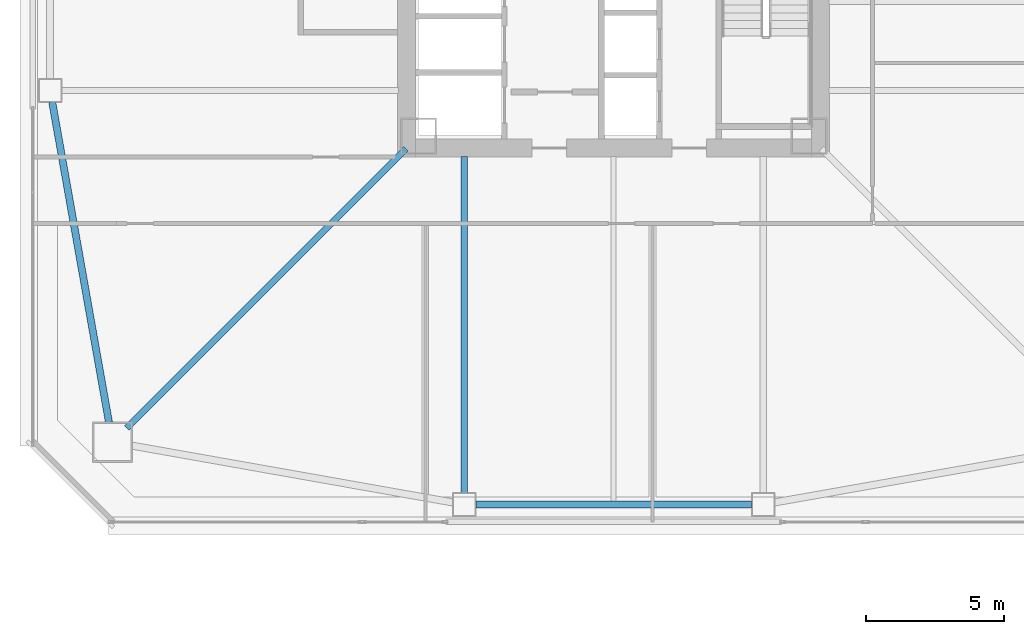
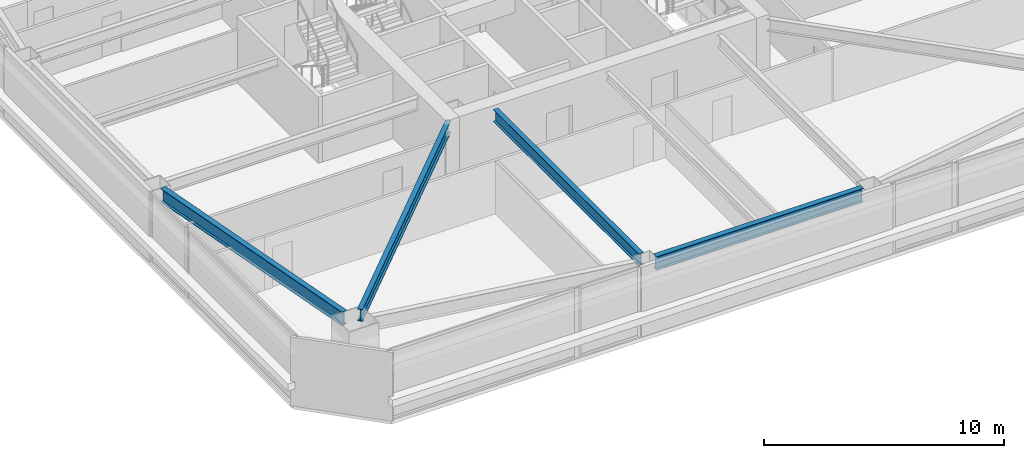
# One storey, part 4 of 44: 4 beams.
"""IFC4 building model written with IfcOpenShell, lengths in metres."""

import ifcopenshell
import ifcopenshell.guid

model = None  # the IFC model being written
_history = None  # IfcOwnerHistory: only IFC2X3 demands one
_inside = {}  # id of a spatial element -> (the spatial element, [elements in it])
_under = {}  # id of a project, library or spatial element -> (it, [spatial elements below it])
_declared = {}  # id of a project -> (the project, [libraries it declares])
_typed = {}  # id of a type object -> (the type object, [elements of that type])
_made_of = {}  # id of a material, layer set ... -> (it, [elements and type objects made of it])


def new_model(schema):
    """Start an empty IFC model of exactly this schema.

    Asked for "IFC4X3", IfcOpenShell would pick the latest addendum, in which some entities
    have other attributes; the version numbers below select the first issue.
    IFC2X3 requires an IfcOwnerHistory on every rooted entity: one is made here for all.
    """
    global model, _history
    if schema == "IFC4X3":
        model = ifcopenshell.file(schema_version=(4, 3, 0, 0))
    else:
        model = ifcopenshell.file(schema=schema)
    _inside.clear()
    _under.clear()
    _declared.clear()
    _typed.clear()
    _made_of.clear()
    _history = None
    if model.schema == "IFC2X3":
        org = make("IfcOrganization", Name="unknown")
        user = make(
            "IfcPersonAndOrganization",
            ThePerson=make("IfcPerson", FamilyName="unknown"),
            TheOrganization=org,
        )
        app = make(
            "IfcApplication",
            ApplicationDeveloper=org,
            Version="unknown",
            ApplicationFullName="unknown",
            ApplicationIdentifier="unknown",
        )
        _history = make(
            "IfcOwnerHistory",
            OwningUser=user,
            OwningApplication=app,
            ChangeAction="ADDED",
            CreationDate=0,
        )
    return model


def make(cls, **values):
    """One entity of the class cls with the attributes given. An attribute that is None is left unset."""
    return model.create_entity(
        cls, **{name: value for name, value in values.items() if value is not None}
    )


def rooted(cls, **values):
    """An entity with a GlobalId (a new one), such as an element, a storey or a relation."""
    return make(cls, GlobalId=ifcopenshell.guid.new(), OwnerHistory=_history, **values)


def si_unit(unit_type, name, prefix=None):
    """IfcSIUnit, for example si_unit("LENGTHUNIT", "METRE", prefix="MILLI")."""
    return make("IfcSIUnit", UnitType=unit_type, Prefix=prefix, Name=name)


def assignment(units):
    """IfcUnitAssignment: the units of a project."""
    return None if units is None else make("IfcUnitAssignment", Units=units)


def point(xyz):
    """IfcCartesianPoint."""
    return None if xyz is None else make("IfcCartesianPoint", Coordinates=xyz)


def direction(xyz):
    """IfcDirection."""
    return None if xyz is None else make("IfcDirection", DirectionRatios=xyz)


def frame(location, z_axis=None, x_axis=None):
    """IfcAxis2Placement3D, a coordinate frame: its origin and axes. An axis left out is left unset."""
    return make(
        "IfcAxis2Placement3D",
        Location=point(location),
        Axis=direction(z_axis),
        RefDirection=direction(x_axis),
    )


def frame_2d(location, x_axis=None):
    """IfcAxis2Placement2D, a coordinate frame in the plane: its origin and x axis."""
    return make(
        "IfcAxis2Placement2D", Location=point(location), RefDirection=direction(x_axis)
    )


def origin():
    """The frame at (0, 0, 0) with its axes left unset."""
    return frame((0.0, 0.0, 0.0))


def origin_2d():
    """The frame at (0, 0) in the plane with its x axis left unset."""
    return frame_2d((0.0, 0.0))


def place(relative_to, where):
    """IfcLocalPlacement: puts the frame where relative to a parent placement (None: the world)."""
    return make(
        "IfcLocalPlacement", PlacementRelTo=relative_to, RelativePlacement=where
    )


def context(
    kind, dimensions, precision=None, world=None, true_north=None, identifier=None
):
    """IfcGeometricRepresentationContext, for example the 3D "Model" context."""
    return make(
        "IfcGeometricRepresentationContext",
        ContextIdentifier=identifier,
        ContextType=kind,
        CoordinateSpaceDimension=dimensions,
        Precision=precision,
        WorldCoordinateSystem=world,
        TrueNorth=true_north,
    )


def subcontext(parent, identifier, kind, view, scale=None):
    """IfcGeometricRepresentationSubContext, for example "Body" below "Model"."""
    return make(
        "IfcGeometricRepresentationSubContext",
        ContextIdentifier=identifier,
        ContextType=kind,
        ParentContext=parent,
        TargetScale=scale,
        TargetView=view,
    )


def project(units=None, contexts=None):
    """IfcProject with its units and contexts."""
    return rooted(
        "IfcProject",
        Name="project",
        RepresentationContexts=contexts,
        UnitsInContext=assignment(units),
    )


def spatial(cls, under=None, at=None, **own):
    """A site, building, storey or space (cls), placed at a placement, below another one or the project."""
    s = rooted(cls, ObjectPlacement=at, **own)
    if under is not None:
        _under.setdefault(under.id(), (under, []))[1].append(s)
    return s


def profile(cls, at=None, kind="AREA", **sizes):
    """A parametric profile (cls). Its sizes go by their IFC names, for example OverallWidth=200.0."""
    return make(cls, ProfileType=kind, Position=at, **sizes)


def i_section(**sizes):
    """IfcIShapeProfileDef."""
    return profile("IfcIShapeProfileDef", **sizes)


def extrude(swept, where, along, depth):
    """IfcExtrudedAreaSolid: the profile swept, set in the frame where, extruded along a direction by depth."""
    return make(
        "IfcExtrudedAreaSolid",
        SweptArea=swept,
        Position=where,
        ExtrudedDirection=direction(along),
        Depth=depth,
    )


def shape(context_of_items, identifier, shape_type, items):
    """IfcShapeRepresentation: the items that make up one representation, for example the "Body"."""
    return make(
        "IfcShapeRepresentation",
        ContextOfItems=context_of_items,
        RepresentationIdentifier=identifier,
        RepresentationType=shape_type,
        Items=items,
    )


def material(Name=None, Category=None):
    """IfcMaterial."""
    return make("IfcMaterial", Name=Name, Category=Category)


def material_profile(
    of_material, cross_section, Name=None, Category=None, Priority=None
):
    """IfcMaterialProfile: a cross section and its material."""
    return make(
        "IfcMaterialProfile",
        Name=Name,
        Material=of_material,
        Profile=cross_section,
        Priority=Priority,
        Category=Category,
    )


def profile_set(profiles, Name=None, composite=None):
    """IfcMaterialProfileSet."""
    return make(
        "IfcMaterialProfileSet",
        Name=Name,
        MaterialProfiles=profiles,
        CompositeProfile=composite,
    )


def made_of(thing, what):
    """Note that an element or type object is made of a material, layer set ...; save() writes the relation."""
    if what is not None:
        _made_of.setdefault(what.id(), (what, []))[1].append(thing)
    return thing


def type_object(cls, material=None, **own):
    """A type object (cls), such as IfcWallType, which elements share."""
    return made_of(rooted(cls, **own), material)


def element(
    cls,
    number,
    at=None,
    inside=None,
    cuts=None,
    type_object=None,
    material=None,
    context=None,
    identifier="Body",
    shape_type=None,
    held_by="IfcProductDefinitionShape",
    body=None,
    shapes=None,
    **own,
):
    """One element of the class cls, such as IfcWall. Its Tag is "e" and its number.

    at: its placement. inside: the storey or other place that contains it. cuts: it is an
    opening in that element (IfcRelVoidsElement). A single representation is given by context,
    identifier, shape_type and body (its items); several are given by shapes. held_by: the class
    of the entity that holds the representations. save() writes the other relations.
    """
    e = rooted(cls, Tag="e%d" % number, ObjectPlacement=at, **own)
    if body is not None:
        shapes = [shape(context, identifier, shape_type, body)]
    if shapes is not None:
        e.Representation = make(held_by, Representations=shapes)
    if inside is not None:
        _inside.setdefault(inside.id(), (inside, []))[1].append(e)
    if cuts is not None:
        rooted(
            "IfcRelVoidsElement", RelatingBuildingElement=cuts, RelatedOpeningElement=e
        )
    if type_object is not None:
        _typed.setdefault(type_object.id(), (type_object, []))[1].append(e)
    return made_of(e, material)


def aggregate(whole, parts):
    """IfcRelAggregates: a whole, such as a stair, and the parts it consists of."""
    return rooted("IfcRelAggregates", RelatingObject=whole, RelatedObjects=parts)


def save(model, path):
    """Write the relations noted so far, then the file.

    IfcRelAggregates (storeys below a building ...), IfcRelContainedInSpatialStructure (elements
    in a storey), IfcRelDefinesByType, IfcRelAssociatesMaterial and IfcRelDeclares: one each for
    every whole, place, type object, material and project.
    """
    for whole, parts in _under.values():
        aggregate(whole, parts)
    for where, things in _inside.values():
        rooted(
            "IfcRelContainedInSpatialStructure",
            RelatedElements=things,
            RelatingStructure=where,
        )
    for kind, things in _typed.values():
        rooted("IfcRelDefinesByType", RelatedObjects=things, RelatingType=kind)
    for what, things in _made_of.values():
        rooted("IfcRelAssociatesMaterial", RelatedObjects=things, RelatingMaterial=what)
    for by, libraries in _declared.values():
        rooted("IfcRelDeclares", RelatingContext=by, RelatedDefinitions=libraries)
    model.write(path)


model = new_model("IFC4")

# Units and contexts
model_context = context("Model", 3, precision=1e-05, world=origin(), true_north=direction((0.0, 1.0)))
body_context = subcontext(model_context, "Body", "Model", "MODEL_VIEW")
ifc_project = project(units=[si_unit("LENGTHUNIT", "METRE"), si_unit("AREAUNIT", "SQUARE_METRE"), si_unit("VOLUMEUNIT", "CUBIC_METRE"), si_unit("PLANEANGLEUNIT", "RADIAN"), si_unit("MASSUNIT", "GRAM", prefix="KILO")], contexts=[model_context])

# Site, building, storey
site_placement = place(None, origin())
site = spatial("IfcSite", under=ifc_project, at=site_placement, CompositionType="ELEMENT")
building_placement = place(site_placement, origin())
building = spatial("IfcBuilding", under=site, at=building_placement, Name="Tashvorn Skyway Center", CompositionType="ELEMENT")
storey_placement = place(building_placement, frame((0.0, 0.0, 102.699951171875)))
storey = spatial("IfcBuildingStorey", under=building, at=storey_placement, Name="L27", CompositionType="ELEMENT", Elevation=102.699951171875)

# Beams
ifc_material = material(Name="Steel ASTM A992 Grade 50", Category="steel")
ifc_material_profile_1 = material_profile(ifc_material, i_section(OverallWidth=0.22998046875, OverallDepth=0.616943359375, WebThickness=0.01318359375, FlangeThickness=0.022216796875, at=origin_2d()), Name="W24X94")
ifc_profile_set_1 = profile_set([ifc_material_profile_1], Name="Steel ASTM A992 Grade 50")
beam_type_1 = type_object("IfcBeamType", Name="BM-BEAM-W24X94", PredefinedType="BEAM", material=ifc_profile_set_1)
beam_1_placement = place(storey_placement, frame((24.4091796875, 14.4091796875, 3.04150390625), z_axis=(0.707106781187, 0.707106781187, 0.0), x_axis=(-0.707106781187, 0.707106781187, 0.0)))
element("IfcBeam", 1, at=beam_1_placement, inside=storey, type_object=beam_type_1, Name="Tower 1 L27 Primary Floor Girder MC-SW", PredefinedType="BEAM", context=body_context, shape_type="SweptSolid", body=[
    extrude(i_section(OverallWidth=0.22998046875, OverallDepth=0.616943359375, WebThickness=0.01318359375, FlangeThickness=0.022216796875, at=origin_2d()), origin(), (0.0, 0.0, 1.0), 14.261962890625),
])
beam_2_placement = place(storey_placement, frame((36.60009765625, 12.070068359375, 3.04150390625), z_axis=(0.0, 1.0, 0.0), x_axis=(-1.0, 0.0, 0.0)))
element("IfcBeam", 2, at=beam_2_placement, inside=storey, type_object=beam_type_1, Name="Tower 1 L27 Primary Floor Girder FC-S1", PredefinedType="BEAM", context=body_context, shape_type="SweptSolid", body=[
    extrude(i_section(OverallWidth=0.22998046875, OverallDepth=0.616943359375, WebThickness=0.01318359375, FlangeThickness=0.022216796875, at=origin_2d()), origin(), (0.0, 0.0, 1.0), 12.14990234375),
])
ifc_material_profile_2 = material_profile(ifc_material, i_section(OverallWidth=0.256103515625, OverallDepth=0.693115234375, WebThickness=0.014404296875, FlangeThickness=0.023681640625, at=origin_2d()), Name="W27X114")
ifc_profile_set_2 = profile_set([ifc_material_profile_2], Name="Steel ASTM A992 Grade 50")
beam_type_2 = type_object("IfcBeamType", Name="BM-SPANDREL-W27X114", PredefinedType="SPANDREL", material=ifc_profile_set_2)
beam_3_placement = place(storey_placement, frame((37.02001953125, 11.64990234375, 3.003662109375), z_axis=(1.0, 0.0, 0.0), x_axis=(0.0, 1.0, 0.0)))
element("IfcBeam", 3, at=beam_3_placement, inside=storey, type_object=beam_type_2, Name="Tower 1 L27 Spandrel Beam 02", PredefinedType="SPANDREL", context=body_context, shape_type="SweptSolid", body=[
    extrude(i_section(OverallWidth=0.256103515625, OverallDepth=0.693115234375, WebThickness=0.014404296875, FlangeThickness=0.023681640625, at=origin_2d()), origin(), (0.0, 0.0, 1.0), 9.9599609375),
])
beam_4_placement = place(storey_placement, frame((21.723388671875, 26.1865234375, 3.003662109375), z_axis=(0.174437966698, -0.98466816531, 0.0), x_axis=(0.98466816531, 0.174437966698, 0.0)))
element("IfcBeam", 4, at=beam_4_placement, inside=storey, type_object=beam_type_2, Name="Tower 1 L27 Spandrel Beam 12", PredefinedType="SPANDREL", context=body_context, shape_type="SweptSolid", body=[
    extrude(i_section(OverallWidth=0.256103515625, OverallDepth=0.693115234375, WebThickness=0.014404296875, FlangeThickness=0.023681640625, at=origin_2d()), origin(), (0.0, 0.0, 1.0), 11.7578125),
])

save(model, "model.ifc")
